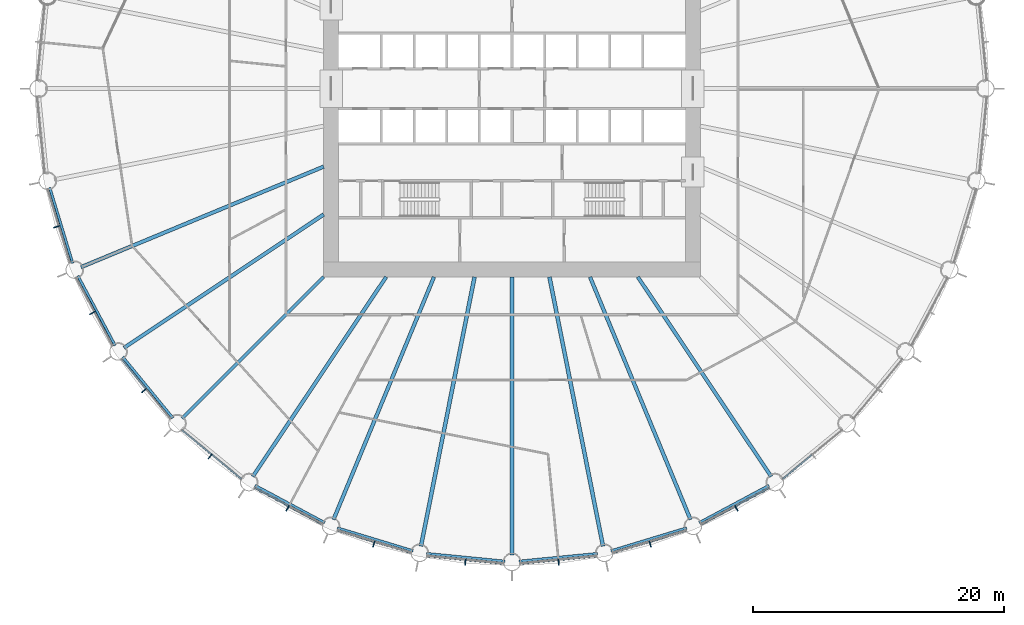
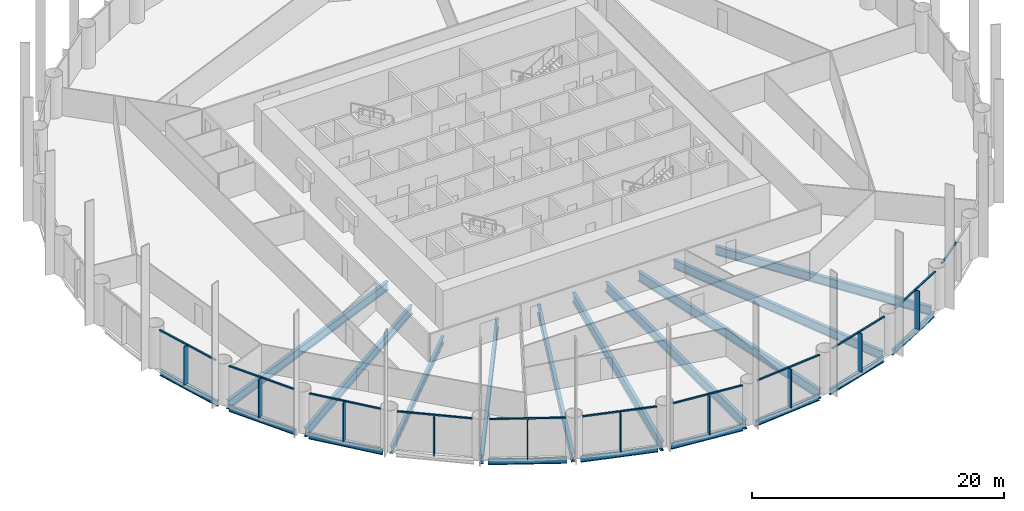
# One storey, part 2 of 15: 31 members, 19 beams, 11 elements without a shape of their own.
"""IFC4 building model written with IfcOpenShell, lengths in metres."""

from ifc_helpers import new_model, si_unit, direction, frame, origin, origin_2d, place, context, subcontext, project, spatial, rectangle, i_section, extrude, material, material_profile, profile_set, type_object, element, aggregate, save


model = new_model("IFC4")

# Units and contexts
model_context = context("Model", 3, precision=1e-05, world=origin(), true_north=direction((0.0, 1.0)))
body_context = subcontext(model_context, "Body", "Model", "MODEL_VIEW")
ifc_project = project(units=[si_unit("LENGTHUNIT", "METRE"), si_unit("AREAUNIT", "SQUARE_METRE"), si_unit("VOLUMEUNIT", "CUBIC_METRE"), si_unit("PLANEANGLEUNIT", "RADIAN"), si_unit("MASSUNIT", "GRAM", prefix="KILO")], contexts=[model_context])

# Site, building, storey
site_placement = place(None, origin())
site = spatial("IfcSite", under=ifc_project, at=site_placement, CompositionType="ELEMENT")
building_placement = place(site_placement, origin())
building = spatial("IfcBuilding", under=site, at=building_placement, Name="Corvane Civic Tower", CompositionType="ELEMENT")
storey_placement = place(building_placement, frame((0.0, 0.0, 65.0)))
storey = spatial("IfcBuildingStorey", under=building, at=storey_placement, Name="L14", CompositionType="ELEMENT", Elevation=65.0)

# Beams
ifc_material_1 = material(Name="Steel ASTM A992 Gr 50", Category="steel")
ifc_material_profile_1 = material_profile(ifc_material_1, i_section(OverallWidth=0.209228515625, OverallDepth=0.533447265625, WebThickness=0.01025390625, FlangeThickness=0.015625, at=origin_2d()), Name="W21X62")
ifc_profile_set_1 = profile_set([ifc_material_profile_1], Name="Steel ASTM A992 Gr 50")
beam_type_1 = type_object("IfcBeamType", Name="EDGE BEAM W21X62", PredefinedType="BEAM", material=ifc_profile_set_1)
for number, where, z_axis, x_axis, name in (
    (1, (20.4599609375, -31.605712890625, -0.566650390625), (-0.881916367906, -0.471405897311, 0.0), (0.471405897311, -0.881916367906, 0.0), "BM-L14-E14"),
    (2, (13.90087890625, -34.989990234375, -0.566650390625), (-0.956943740748, -0.290273452184, 0.0), (0.290273452184, -0.956943740748, 0.0), "BM-L14-E15"),
):
    element("IfcBeam", number, at=place(storey_placement, frame(where, z_axis=z_axis, x_axis=x_axis)), inside=storey, type_object=beam_type_1, Name=name, PredefinedType="BEAM", context=body_context, shape_type="SweptSolid", body=[
        extrude(i_section(OverallWidth=0.209228515625, OverallDepth=0.533447265625, WebThickness=0.01025390625, FlangeThickness=0.015625, at=origin_2d()), origin(), (0.0, 0.0, 1.0), 6.290283203125),
    ])
for number, where, z_axis, x_axis, name in (
    (3, (6.8076171875, -37.029541015625, -0.566650390625), (-0.995186682089, -0.097997284622, 0.0), (0.097997284622, -0.995186682089, 0.0), "BM-L14-E16"),
    (4, (-0.54736328125, -37.64599609375, -0.566650390625), (-0.995186682089, 0.097997284622, 0.0), (-0.097997284622, -0.995186682089, 0.0), "BM-L14-E17"),
):
    element("IfcBeam", number, at=place(storey_placement, frame(where, z_axis=z_axis, x_axis=x_axis)), inside=storey, type_object=beam_type_1, Name=name, PredefinedType="BEAM", context=body_context, shape_type="SweptSolid", body=[
        extrude(i_section(OverallWidth=0.209228515625, OverallDepth=0.533447265625, WebThickness=0.01025390625, FlangeThickness=0.015625, at=origin_2d()), origin(), (0.0, 0.0, 1.0), 6.29052734375),
    ])
for number, where, z_axis, x_axis, name in (
    (5, (-7.88134765625, -36.81591796875, -0.566650390625), (-0.956943740748, 0.290273452184, 0.0), (-0.290273452184, -0.956943740748, 0.0), "BM-L14-E18"),
    (6, (-14.912353515625, -34.571044921875, -0.566650390625), (-0.881916367906, 0.471405897311, 0.0), (-0.471405897311, -0.881916367906, 0.0), "BM-L14-E19"),
):
    element("IfcBeam", number, at=place(storey_placement, frame(where, z_axis=z_axis, x_axis=x_axis)), inside=storey, type_object=beam_type_1, Name=name, PredefinedType="BEAM", context=body_context, shape_type="SweptSolid", body=[
        extrude(i_section(OverallWidth=0.209228515625, OverallDepth=0.533447265625, WebThickness=0.01025390625, FlangeThickness=0.015625, at=origin_2d()), origin(), (0.0, 0.0, 1.0), 6.290283203125),
    ])
beam_1_placement = place(storey_placement, frame((-27.0068359375, -26.23291015625, -0.566650390625), z_axis=(-0.634386787141, 0.773015785286, 0.0), x_axis=(-0.773015785286, -0.634386787141, 0.0)))
element("IfcBeam", 7, at=beam_1_placement, inside=storey, type_object=beam_type_1, Name="BM-L14-E21", PredefinedType="BEAM", context=body_context, shape_type="SweptSolid", body=[
    extrude(i_section(OverallWidth=0.209228515625, OverallDepth=0.533447265625, WebThickness=0.01025390625, FlangeThickness=0.015625, at=origin_2d()), origin(), (0.0, 0.0, 1.0), 6.290771484375),
])
for number, where, z_axis, x_axis, name in (
    (8, (-31.605712890625, -20.4599609375, -0.566650390625), (-0.471405897311, 0.881916367906, 0.0), (-0.881916367906, -0.471405897311, 0.0), "BM-L14-E22"),
    (9, (-34.989990234375, -13.90087890625, -0.566650390625), (-0.290273452184, 0.956943740748, 0.0), (-0.956943740748, -0.290273452184, 0.0), "BM-L14-E23"),
):
    element("IfcBeam", number, at=place(storey_placement, frame(where, z_axis=z_axis, x_axis=x_axis)), inside=storey, type_object=beam_type_1, Name=name, PredefinedType="BEAM", context=body_context, shape_type="SweptSolid", body=[
        extrude(i_section(OverallWidth=0.209228515625, OverallDepth=0.533447265625, WebThickness=0.01025390625, FlangeThickness=0.015625, at=origin_2d()), origin(), (0.0, 0.0, 1.0), 6.290283203125),
    ])
ifc_material_2 = material(Name="Steel ASTM A992 Gr 50", Category="steel")
ifc_material_profile_2 = material_profile(ifc_material_2, i_section(OverallWidth=0.256591796875, OverallDepth=0.693359375, WebThickness=0.014404296875, FlangeThickness=0.023681640625, at=origin_2d()), Name="W27X114")
ifc_profile_set_2 = profile_set([ifc_material_profile_2], Name="Steel ASTM A992 Gr 50")
beam_type_2 = type_object("IfcBeamType", Name="FLOOR GIRDER W27X114", PredefinedType="BEAM", material=ifc_profile_set_2)
beam_2_placement = place(storey_placement, frame((-15.0, -15.0, -0.646728515625), z_axis=(-0.707106781187, -0.707106781187, 0.0), x_axis=(0.707106781187, -0.707106781187, 0.0)))
element("IfcBeam", 10, at=beam_2_placement, inside=storey, type_object=beam_type_2, Name="BM-L14-G21", PredefinedType="BEAM", context=body_context, shape_type="SweptSolid", body=[
    extrude(i_section(OverallWidth=0.256591796875, OverallDepth=0.693359375, WebThickness=0.014404296875, FlangeThickness=0.023681640625, at=origin_2d()), origin(), (0.0, 0.0, 1.0), 15.936767578125),
])
ifc_material_3 = material(Name="Steel ASTM A992 Gr 50", Category="steel")
ifc_material_profile_3 = material_profile(ifc_material_3, i_section(OverallWidth=0.2919921875, OverallDepth=0.8583984375, WebThickness=0.01708984375, FlangeThickness=0.031005859375, at=origin_2d()), Name="W33X169")
ifc_profile_set_3 = profile_set([ifc_material_profile_3], Name="Steel ASTM A992 Gr 50")
beam_type_3 = type_object("IfcBeamType", Name="FLOOR GIRDER W33X169", PredefinedType="BEAM", material=ifc_profile_set_3)
beam_3_placement = place(storey_placement, frame((10.022705078125, -15.0, -0.729248046875), z_axis=(0.555566681385, -0.831471985418, 0.0), x_axis=(0.831471985418, 0.555566681385, 0.0)))
element("IfcBeam", 11, at=beam_3_placement, inside=storey, type_object=beam_type_3, Name="BM-L14-G14", PredefinedType="BEAM", context=body_context, shape_type="SweptSolid", body=[
    extrude(i_section(OverallWidth=0.2919921875, OverallDepth=0.8583984375, WebThickness=0.01708984375, FlangeThickness=0.031005859375, at=origin_2d()), origin(), (0.0, 0.0, 1.0), 19.109619140625),
])
for number, where, z_axis, x_axis, name in (
    (12, (6.213134765625, -15.0, -0.729248046875), (0.382692360381, -0.923875834355, 0.0), (0.923875834355, 0.382692360381, 0.0), "BM-L14-G15"),
    (13, (-6.213134765625, -15.0, -0.729248046875), (-0.382692360381, -0.923875834355, 0.0), (0.923875834355, -0.382692360381, 0.0), "BM-L14-G19"),
):
    element("IfcBeam", number, at=place(storey_placement, frame(where, z_axis=z_axis, x_axis=x_axis)), inside=storey, type_object=beam_type_3, Name=name, PredefinedType="BEAM", context=body_context, shape_type="SweptSolid", body=[
        extrude(i_section(OverallWidth=0.2919921875, OverallDepth=0.8583984375, WebThickness=0.01708984375, FlangeThickness=0.031005859375, at=origin_2d()), origin(), (0.0, 0.0, 1.0), 20.9140625),
    ])
for number, where, z_axis, x_axis, name in (
    (14, (-10.022705078125, -15.0, -0.729248046875), (-0.555566681385, -0.831471985418, 0.0), (0.831471985418, -0.555566681385, 0.0), "BM-L14-G20"),
    (15, (-15.0, -10.022705078125, -0.729248046875), (-0.831471985418, -0.555566681385, 0.0), (0.555566681385, -0.831471985418, 0.0), "BM-L14-G22"),
):
    element("IfcBeam", number, at=place(storey_placement, frame(where, z_axis=z_axis, x_axis=x_axis)), inside=storey, type_object=beam_type_3, Name=name, PredefinedType="BEAM", context=body_context, shape_type="SweptSolid", body=[
        extrude(i_section(OverallWidth=0.2919921875, OverallDepth=0.8583984375, WebThickness=0.01708984375, FlangeThickness=0.031005859375, at=origin_2d()), origin(), (0.0, 0.0, 1.0), 19.109619140625),
    ])
beam_4_placement = place(storey_placement, frame((-15.0, -6.213134765625, -0.729248046875), z_axis=(-0.923875834355, -0.382692360381, 0.0), x_axis=(0.382692360381, -0.923875834355, 0.0)))
element("IfcBeam", 16, at=beam_4_placement, inside=storey, type_object=beam_type_3, Name="BM-L14-G23", PredefinedType="BEAM", context=body_context, shape_type="SweptSolid", body=[
    extrude(i_section(OverallWidth=0.2919921875, OverallDepth=0.8583984375, WebThickness=0.01708984375, FlangeThickness=0.031005859375, at=origin_2d()), origin(), (0.0, 0.0, 1.0), 20.9140625),
])
ifc_material_4 = material(Name="Steel ASTM A992 Gr 50", Category="steel")
ifc_material_profile_4 = material_profile(ifc_material_4, i_section(OverallWidth=0.307373046875, OverallDepth=0.927001953125, WebThickness=0.01953125, FlangeThickness=0.031982421875, at=origin_2d()), Name="W36X194")
ifc_profile_set_4 = profile_set([ifc_material_profile_4], Name="Steel ASTM A992 Gr 50")
beam_type_4 = type_object("IfcBeamType", Name="FLOOR GIRDER W36X194", PredefinedType="BEAM", material=ifc_profile_set_4)
beam_5_placement = place(storey_placement, frame((2.983642578125, -15.0, -0.763671875), z_axis=(0.195089219638, -0.980785499679, 0.0), x_axis=(0.980785499679, 0.195089219638, 0.0)))
element("IfcBeam", 17, at=beam_5_placement, inside=storey, type_object=beam_type_4, Name="BM-L14-G16", PredefinedType="BEAM", context=body_context, shape_type="SweptSolid", body=[
    extrude(i_section(OverallWidth=0.307373046875, OverallDepth=0.927001953125, WebThickness=0.01953125, FlangeThickness=0.031982421875, at=origin_2d()), origin(), (0.0, 0.0, 1.0), 21.856201171875),
])
beam_6_placement = place(storey_placement, frame((0.0, -15.0, -0.763671875), z_axis=(0.0, -1.0, 0.0), x_axis=(1.0, 0.0, 0.0)))
element("IfcBeam", 18, at=beam_6_placement, inside=storey, type_object=beam_type_4, Name="BM-L14-G17", PredefinedType="BEAM", context=body_context, shape_type="SweptSolid", body=[
    extrude(i_section(OverallWidth=0.307373046875, OverallDepth=0.927001953125, WebThickness=0.01953125, FlangeThickness=0.031982421875, at=origin_2d()), origin(), (0.0, 0.0, 1.0), 22.14990234375),
])
beam_7_placement = place(storey_placement, frame((-2.983642578125, -15.0, -0.763671875), z_axis=(-0.195089219638, -0.980785499679, 0.0), x_axis=(0.980785499679, -0.195089219638, 0.0)))
element("IfcBeam", 19, at=beam_7_placement, inside=storey, type_object=beam_type_4, Name="BM-L14-G18", PredefinedType="BEAM", context=body_context, shape_type="SweptSolid", body=[
    extrude(i_section(OverallWidth=0.307373046875, OverallDepth=0.927001953125, WebThickness=0.01953125, FlangeThickness=0.031982421875, at=origin_2d()), origin(), (0.0, 0.0, 1.0), 21.856201171875),
])

# Curtain wall, member
ifc_material_5 = material(Name="Anodised aluminium bronze", Category="aluminium")
curtain_wall_type = type_object("IfcCurtainWallType", Name="TOWER CW-T1 STICK CURTAIN WALL", PredefinedType="NOTDEFINED", material=ifc_material_5)
curtain_wall_1_placement = place(storey_placement, origin())
curtain_wall_1 = element("IfcCurtainWall", 20, at=curtain_wall_1_placement, inside=storey, type_object=curtain_wall_type, Name="Curtain wall CW-T1 L14 bay 13", PredefinedType="NOTDEFINED")
ifc_material_6 = material(Name="Anodised aluminium bronze", Category="aluminium")
ifc_material_profile_5 = material_profile(ifc_material_6, rectangle(XDim=0.139892578125, YDim=0.1201171875, at=origin_2d()), Name="TOWER CW-T1 TRANSOM 140x120")
ifc_profile_set_5 = profile_set([ifc_material_profile_5], Name="Anodised aluminium bronze")
member_type_1 = type_object("IfcMemberType", Name="TOWER CW-T1 TRANSOM 140x120", PredefinedType="USERDEFINED", material=ifc_profile_set_5)
member_1_placement = place(storey_placement, frame((23.88427734375, -29.166015625, 3.68994140625), z_axis=(-0.773041738279, -0.634355161466, 0.0), x_axis=(0.634355161466, -0.773041738279, 0.0)))
member_1 = element("IfcMember", 21, at=member_1_placement, type_object=member_type_1, Name="Transom CW-T1 L14 13.2", ObjectType="TRANSOM", PredefinedType="USERDEFINED", context=body_context, shape_type="SweptSolid", body=[
    extrude(rectangle(XDim=0.139892578125, YDim=0.1201171875, at=origin_2d()), origin(), (0.0, 0.0, 1.0), 3.008544921875),
])
aggregate(curtain_wall_1, [member_1])

# Curtain wall, members
curtain_wall_2_placement = place(storey_placement, origin())
curtain_wall_2 = element("IfcCurtainWall", 22, at=curtain_wall_2_placement, inside=storey, type_object=curtain_wall_type, Name="Curtain wall CW-T1 L14 bay 14", PredefinedType="NOTDEFINED")
member_2_placement = place(storey_placement, frame((20.459228515625, -31.809326171875, 3.68994140625), z_axis=(-0.881923525532, -0.471392506424, 0.0), x_axis=(0.471392506424, -0.881923525532, 0.0)))
member_2 = element("IfcMember", 23, at=member_2_placement, type_object=member_type_1, Name="Transom CW-T1 L14 14.1", ObjectType="TRANSOM", PredefinedType="USERDEFINED", context=body_context, shape_type="SweptSolid", body=[
    extrude(rectangle(XDim=0.139892578125, YDim=0.1201171875, at=origin_2d()), origin(), (0.0, 0.0, 1.0), 3.008544921875),
])
member_3_placement = place(storey_placement, frame((17.7353515625, -33.26513671875, 3.68994140625), z_axis=(-0.881923525532, -0.471392506424, 0.0), x_axis=(0.471392506424, -0.881923525532, 0.0)))
member_3 = element("IfcMember", 24, at=member_3_placement, type_object=member_type_1, Name="Transom CW-T1 L14 14.2", ObjectType="TRANSOM", PredefinedType="USERDEFINED", context=body_context, shape_type="SweptSolid", body=[
    extrude(rectangle(XDim=0.139892578125, YDim=0.1201171875, at=origin_2d()), origin(), (0.0, 0.0, 1.0), 3.008544921875),
])

curtain_wall_3_placement = place(storey_placement, origin())
curtain_wall_3 = element("IfcCurtainWall", 25, at=curtain_wall_3_placement, inside=storey, type_object=curtain_wall_type, Name="Curtain wall CW-T1 L14 bay 15", PredefinedType="NOTDEFINED")
member_4_placement = place(storey_placement, frame((13.8603515625, -35.189453125, 3.68994140625), z_axis=(-0.956941780555, -0.290279914268, 0.0), x_axis=(0.290279914268, -0.956941780555, 0.0)))
member_4 = element("IfcMember", 26, at=member_4_placement, type_object=member_type_1, Name="Transom CW-T1 L14 15.1", ObjectType="TRANSOM", PredefinedType="USERDEFINED", context=body_context, shape_type="SweptSolid", body=[
    extrude(rectangle(XDim=0.139892578125, YDim=0.1201171875, at=origin_2d()), origin(), (0.0, 0.0, 1.0), 3.008544921875),
])
member_5_placement = place(storey_placement, frame((10.90478515625, -36.0859375, 3.68994140625), z_axis=(-0.956941780555, -0.290279914268, 0.0), x_axis=(0.290279914268, -0.956941780555, 0.0)))
member_5 = element("IfcMember", 27, at=member_5_placement, type_object=member_type_1, Name="Transom CW-T1 L14 15.2", ObjectType="TRANSOM", PredefinedType="USERDEFINED", context=body_context, shape_type="SweptSolid", body=[
    extrude(rectangle(XDim=0.139892578125, YDim=0.1201171875, at=origin_2d()), origin(), (0.0, 0.0, 1.0), 3.008544921875),
])

curtain_wall_4_placement = place(storey_placement, origin())
curtain_wall_4 = element("IfcCurtainWall", 28, at=curtain_wall_4_placement, inside=storey, type_object=curtain_wall_type, Name="Curtain wall CW-T1 L14 bay 16", PredefinedType="NOTDEFINED")
member_6_placement = place(storey_placement, frame((6.72900390625, -37.21728515625, 3.68994140625), z_axis=(-0.995191836722, -0.097944923917, 0.0), x_axis=(0.097944923917, -0.995191836722, 0.0)))
member_6 = element("IfcMember", 29, at=member_6_placement, type_object=member_type_1, Name="Transom CW-T1 L14 16.1", ObjectType="TRANSOM", PredefinedType="USERDEFINED", context=body_context, shape_type="SweptSolid", body=[
    extrude(rectangle(XDim=0.139892578125, YDim=0.1201171875, at=origin_2d()), origin(), (0.0, 0.0, 1.0), 3.008544921875),
])
member_7_placement = place(storey_placement, frame((3.6552734375, -37.52001953125, 3.68994140625), z_axis=(-0.995191836722, -0.097944923917, 0.0), x_axis=(0.097944923917, -0.995191836722, 0.0)))
member_7 = element("IfcMember", 30, at=member_7_placement, type_object=member_type_1, Name="Transom CW-T1 L14 16.2", ObjectType="TRANSOM", PredefinedType="USERDEFINED", context=body_context, shape_type="SweptSolid", body=[
    extrude(rectangle(XDim=0.139892578125, YDim=0.1201171875, at=origin_2d()), origin(), (0.0, 0.0, 1.0), 3.008544921875),
])

curtain_wall_5_placement = place(storey_placement, origin())
curtain_wall_5 = element("IfcCurtainWall", 31, at=curtain_wall_5_placement, inside=storey, type_object=curtain_wall_type, Name="Curtain wall CW-T1 L14 bay 17", PredefinedType="NOTDEFINED")
member_8_placement = place(storey_placement, frame((-0.6611328125, -37.814697265625, 3.68994140625), z_axis=(-0.995191836722, 0.097944923917, 0.0), x_axis=(-0.097944923917, -0.995191836722, 0.0)))
member_8 = element("IfcMember", 32, at=member_8_placement, type_object=member_type_1, Name="Transom CW-T1 L14 17.1", ObjectType="TRANSOM", PredefinedType="USERDEFINED", context=body_context, shape_type="SweptSolid", body=[
    extrude(rectangle(XDim=0.139892578125, YDim=0.1201171875, at=origin_2d()), origin(), (0.0, 0.0, 1.0), 3.008544921875),
])
member_9_placement = place(storey_placement, frame((-3.73486328125, -37.511962890625, 3.68994140625), z_axis=(-0.995191836722, 0.097944923917, 0.0), x_axis=(-0.097944923917, -0.995191836722, 0.0)))
member_9 = element("IfcMember", 33, at=member_9_placement, type_object=member_type_1, Name="Transom CW-T1 L14 17.2", ObjectType="TRANSOM", PredefinedType="USERDEFINED", context=body_context, shape_type="SweptSolid", body=[
    extrude(rectangle(XDim=0.139892578125, YDim=0.1201171875, at=origin_2d()), origin(), (0.0, 0.0, 1.0), 3.008544921875),
])

curtain_wall_6_placement = place(storey_placement, origin())
curtain_wall_6 = element("IfcCurtainWall", 34, at=curtain_wall_6_placement, inside=storey, type_object=curtain_wall_type, Name="Curtain wall CW-T1 L14 bay 18", PredefinedType="NOTDEFINED")
member_10_placement = place(storey_placement, frame((-8.02587890625, -36.959228515625, 3.68994140625), z_axis=(-0.956941780555, 0.290279914268, 0.0), x_axis=(-0.290279914268, -0.956941780555, 0.0)))
member_10 = element("IfcMember", 35, at=member_10_placement, type_object=member_type_1, Name="Transom CW-T1 L14 18.1", ObjectType="TRANSOM", PredefinedType="USERDEFINED", context=body_context, shape_type="SweptSolid", body=[
    extrude(rectangle(XDim=0.139892578125, YDim=0.1201171875, at=origin_2d()), origin(), (0.0, 0.0, 1.0), 3.008544921875),
])
member_11_placement = place(storey_placement, frame((-10.9814453125, -36.062744140625, 3.68994140625), z_axis=(-0.956941780555, 0.290279914268, 0.0), x_axis=(-0.290279914268, -0.956941780555, 0.0)))
member_11 = element("IfcMember", 36, at=member_11_placement, type_object=member_type_1, Name="Transom CW-T1 L14 18.2", ObjectType="TRANSOM", PredefinedType="USERDEFINED", context=body_context, shape_type="SweptSolid", body=[
    extrude(rectangle(XDim=0.139892578125, YDim=0.1201171875, at=origin_2d()), origin(), (0.0, 0.0, 1.0), 3.008544921875),
])

curtain_wall_7_placement = place(storey_placement, origin())
curtain_wall_7 = element("IfcCurtainWall", 37, at=curtain_wall_7_placement, inside=storey, type_object=curtain_wall_type, Name="Curtain wall CW-T1 L14 bay 19", PredefinedType="NOTDEFINED")
member_12_placement = place(storey_placement, frame((-15.08203125, -34.683349609375, 3.68994140625), z_axis=(-0.881923525532, 0.471392506424, 0.0), x_axis=(-0.471392506424, -0.881923525532, 0.0)))
member_12 = element("IfcMember", 38, at=member_12_placement, type_object=member_type_1, Name="Transom CW-T1 L14 19.1", ObjectType="TRANSOM", PredefinedType="USERDEFINED", context=body_context, shape_type="SweptSolid", body=[
    extrude(rectangle(XDim=0.139892578125, YDim=0.1201171875, at=origin_2d()), origin(), (0.0, 0.0, 1.0), 3.008544921875),
])
member_13_placement = place(storey_placement, frame((-17.805908203125, -33.2275390625, 3.68994140625), z_axis=(-0.881923525532, 0.471392506424, 0.0), x_axis=(-0.471392506424, -0.881923525532, 0.0)))
member_13 = element("IfcMember", 39, at=member_13_placement, type_object=member_type_1, Name="Transom CW-T1 L14 19.2", ObjectType="TRANSOM", PredefinedType="USERDEFINED", context=body_context, shape_type="SweptSolid", body=[
    extrude(rectangle(XDim=0.139892578125, YDim=0.1201171875, at=origin_2d()), origin(), (0.0, 0.0, 1.0), 3.008544921875),
])

curtain_wall_8_placement = place(storey_placement, origin())
curtain_wall_8 = element("IfcCurtainWall", 40, at=curtain_wall_8_placement, inside=storey, type_object=curtain_wall_type, Name="Curtain wall CW-T1 L14 bay 20", PredefinedType="NOTDEFINED")
member_14_placement = place(storey_placement, frame((-21.55859375, -31.074462890625, 3.68994140625), z_axis=(-0.773041738279, 0.634355161466, 0.0), x_axis=(-0.634355161466, -0.773041738279, 0.0)))
member_14 = element("IfcMember", 41, at=member_14_placement, type_object=member_type_1, Name="Transom CW-T1 L14 20.1", ObjectType="TRANSOM", PredefinedType="USERDEFINED", context=body_context, shape_type="SweptSolid", body=[
    extrude(rectangle(XDim=0.139892578125, YDim=0.1201171875, at=origin_2d()), origin(), (0.0, 0.0, 1.0), 3.008544921875),
])
member_15_placement = place(storey_placement, frame((-23.946044921875, -29.115234375, 3.68994140625), z_axis=(-0.773001943873, 0.634403652865, 0.0), x_axis=(-0.634403652865, -0.773001943873, 0.0)))
member_15 = element("IfcMember", 42, at=member_15_placement, type_object=member_type_1, Name="Transom CW-T1 L14 20.2", ObjectType="TRANSOM", PredefinedType="USERDEFINED", context=body_context, shape_type="SweptSolid", body=[
    extrude(rectangle(XDim=0.139892578125, YDim=0.1201171875, at=origin_2d()), origin(), (0.0, 0.0, 1.0), 3.008544921875),
])

curtain_wall_9_placement = place(storey_placement, origin())
curtain_wall_9 = element("IfcCurtainWall", 43, at=curtain_wall_9_placement, inside=storey, type_object=curtain_wall_type, Name="Curtain wall CW-T1 L14 bay 21", PredefinedType="NOTDEFINED")
member_16_placement = place(storey_placement, frame((-27.20654296875, -26.271728515625, 3.68994140625), z_axis=(-0.634403652865, 0.773001943873, 0.0), x_axis=(-0.773001943873, -0.634403652865, 0.0)))
member_16 = element("IfcMember", 44, at=member_16_placement, type_object=member_type_1, Name="Transom CW-T1 L14 21.1", ObjectType="TRANSOM", PredefinedType="USERDEFINED", context=body_context, shape_type="SweptSolid", body=[
    extrude(rectangle(XDim=0.139892578125, YDim=0.1201171875, at=origin_2d()), origin(), (0.0, 0.0, 1.0), 3.008544921875),
])
member_17_placement = place(storey_placement, frame((-29.166015625, -23.88427734375, 3.68994140625), z_axis=(-0.634355161466, 0.773041738279, 0.0), x_axis=(-0.773041738279, -0.634355161466, 0.0)))
member_17 = element("IfcMember", 45, at=member_17_placement, type_object=member_type_1, Name="Transom CW-T1 L14 21.2", ObjectType="TRANSOM", PredefinedType="USERDEFINED", context=body_context, shape_type="SweptSolid", body=[
    extrude(rectangle(XDim=0.139892578125, YDim=0.1201171875, at=origin_2d()), origin(), (0.0, 0.0, 1.0), 3.008544921875),
])

curtain_wall_10_placement = place(storey_placement, origin())
curtain_wall_10 = element("IfcCurtainWall", 46, at=curtain_wall_10_placement, inside=storey, type_object=curtain_wall_type, Name="Curtain wall CW-T1 L14 bay 22", PredefinedType="NOTDEFINED")
member_18_placement = place(storey_placement, frame((-31.809326171875, -20.459228515625, 3.68994140625), z_axis=(-0.471392506424, 0.881923525532, 0.0), x_axis=(-0.881923525532, -0.471392506424, 0.0)))
member_18 = element("IfcMember", 47, at=member_18_placement, type_object=member_type_1, Name="Transom CW-T1 L14 22.1", ObjectType="TRANSOM", PredefinedType="USERDEFINED", context=body_context, shape_type="SweptSolid", body=[
    extrude(rectangle(XDim=0.139892578125, YDim=0.1201171875, at=origin_2d()), origin(), (0.0, 0.0, 1.0), 3.008544921875),
])
member_19_placement = place(storey_placement, frame((-33.26513671875, -17.7353515625, 3.68994140625), z_axis=(-0.471392506424, 0.881923525532, 0.0), x_axis=(-0.881923525532, -0.471392506424, 0.0)))
member_19 = element("IfcMember", 48, at=member_19_placement, type_object=member_type_1, Name="Transom CW-T1 L14 22.2", ObjectType="TRANSOM", PredefinedType="USERDEFINED", context=body_context, shape_type="SweptSolid", body=[
    extrude(rectangle(XDim=0.139892578125, YDim=0.1201171875, at=origin_2d()), origin(), (0.0, 0.0, 1.0), 3.008544921875),
])

curtain_wall_11_placement = place(storey_placement, origin())
curtain_wall_11 = element("IfcCurtainWall", 49, at=curtain_wall_11_placement, inside=storey, type_object=curtain_wall_type, Name="Curtain wall CW-T1 L14 bay 23", PredefinedType="NOTDEFINED")
member_20_placement = place(storey_placement, frame((-35.189453125, -13.8603515625, 3.68994140625), z_axis=(-0.290279914268, 0.956941780555, 0.0), x_axis=(-0.956941780555, -0.290279914268, 0.0)))
member_20 = element("IfcMember", 50, at=member_20_placement, type_object=member_type_1, Name="Transom CW-T1 L14 23.1", ObjectType="TRANSOM", PredefinedType="USERDEFINED", context=body_context, shape_type="SweptSolid", body=[
    extrude(rectangle(XDim=0.139892578125, YDim=0.1201171875, at=origin_2d()), origin(), (0.0, 0.0, 1.0), 3.008544921875),
])
member_21_placement = place(storey_placement, frame((-36.0859375, -10.90478515625, 3.68994140625), z_axis=(-0.290279914268, 0.956941780555, 0.0), x_axis=(-0.956941780555, -0.290279914268, 0.0)))
member_21 = element("IfcMember", 51, at=member_21_placement, type_object=member_type_1, Name="Transom CW-T1 L14 23.2", ObjectType="TRANSOM", PredefinedType="USERDEFINED", context=body_context, shape_type="SweptSolid", body=[
    extrude(rectangle(XDim=0.139892578125, YDim=0.1201171875, at=origin_2d()), origin(), (0.0, 0.0, 1.0), 3.008544921875),
])

# Member
ifc_material_7 = material(Name="Anodised aluminium bronze", Category="aluminium")
ifc_material_profile_6 = material_profile(ifc_material_7, rectangle(XDim=0.080078125, YDim=0.5, at=origin_2d()), Name="TOWER FIN MULLION 80x500 BRONZE")
ifc_profile_set_6 = profile_set([ifc_material_profile_6], Name="Anodised aluminium bronze")
member_type_2 = type_object("IfcMemberType", Name="TOWER FIN MULLION 80x500 BRONZE", PredefinedType="MULLION", material=ifc_profile_set_6)
member_22_placement = place(storey_placement, frame((17.86474609375, -33.422607421875, 0.0), z_axis=(0.0, 0.0, 1.0), x_axis=(-0.881917528864, -0.471403725359, 0.0)))
member_22 = element("IfcMember", 52, at=member_22_placement, type_object=member_type_2, Name="Fin mullion 14 L14", PredefinedType="MULLION", context=body_context, shape_type="SweptSolid", body=[
    extrude(rectangle(XDim=0.080078125, YDim=0.5, at=origin_2d()), origin(), (0.0, 0.0, 1.0), 3.75),
])

aggregate(curtain_wall_2, [member_22, member_2, member_3])

member_23_placement = place(storey_placement, frame((11.001220703125, -36.265625, 0.0), z_axis=(0.0, 0.0, 1.0), x_axis=(-0.956942240606, -0.290278397654, 0.0)))
member_23 = element("IfcMember", 53, at=member_23_placement, type_object=member_type_2, Name="Fin mullion 15 L14", PredefinedType="MULLION", context=body_context, shape_type="SweptSolid", body=[
    extrude(rectangle(XDim=0.080078125, YDim=0.5, at=origin_2d()), origin(), (0.0, 0.0, 1.0), 3.75),
])

aggregate(curtain_wall_3, [member_23, member_4, member_5])

member_24_placement = place(storey_placement, frame((3.714599609375, -37.715087890625, 0.0), z_axis=(0.0, 0.0, 1.0), x_axis=(-0.995185800248, -0.098006239521, 0.0)))
member_24 = element("IfcMember", 54, at=member_24_placement, type_object=member_type_2, Name="Fin mullion 16 L14", PredefinedType="MULLION", context=body_context, shape_type="SweptSolid", body=[
    extrude(rectangle(XDim=0.080078125, YDim=0.5, at=origin_2d()), origin(), (0.0, 0.0, 1.0), 3.75),
])

aggregate(curtain_wall_4, [member_24, member_6, member_7])

member_25_placement = place(storey_placement, frame((-3.714599609375, -37.715087890625, 0.0), z_axis=(0.0, 0.0, 1.0), x_axis=(-0.995185800248, 0.098006239521, 0.0)))
member_25 = element("IfcMember", 55, at=member_25_placement, type_object=member_type_2, Name="Fin mullion 17 L14", PredefinedType="MULLION", context=body_context, shape_type="SweptSolid", body=[
    extrude(rectangle(XDim=0.080078125, YDim=0.5, at=origin_2d()), origin(), (0.0, 0.0, 1.0), 3.75),
])

aggregate(curtain_wall_5, [member_25, member_8, member_9])

member_26_placement = place(storey_placement, frame((-11.001220703125, -36.265625, 0.0), z_axis=(0.0, 0.0, 1.0), x_axis=(-0.956942240606, 0.290278397654, 0.0)))
member_26 = element("IfcMember", 56, at=member_26_placement, type_object=member_type_2, Name="Fin mullion 18 L14", PredefinedType="MULLION", context=body_context, shape_type="SweptSolid", body=[
    extrude(rectangle(XDim=0.080078125, YDim=0.5, at=origin_2d()), origin(), (0.0, 0.0, 1.0), 3.75),
])

aggregate(curtain_wall_6, [member_26, member_10, member_11])

member_27_placement = place(storey_placement, frame((-17.86474609375, -33.422607421875, 0.0), z_axis=(0.0, 0.0, 1.0), x_axis=(-0.881917528864, 0.471403725359, 0.0)))
member_27 = element("IfcMember", 57, at=member_27_placement, type_object=member_type_2, Name="Fin mullion 19 L14", PredefinedType="MULLION", context=body_context, shape_type="SweptSolid", body=[
    extrude(rectangle(XDim=0.080078125, YDim=0.5, at=origin_2d()), origin(), (0.0, 0.0, 1.0), 3.75),
])

aggregate(curtain_wall_7, [member_27, member_12, member_13])

member_28_placement = place(storey_placement, frame((-24.0419921875, -29.295166015625, 0.0), z_axis=(0.0, 0.0, 1.0), x_axis=(-0.773007224463, 0.634397218569, 0.0)))
member_28 = element("IfcMember", 58, at=member_28_placement, type_object=member_type_2, Name="Fin mullion 20 L14", PredefinedType="MULLION", context=body_context, shape_type="SweptSolid", body=[
    extrude(rectangle(XDim=0.080078125, YDim=0.5, at=origin_2d()), origin(), (0.0, 0.0, 1.0), 3.75),
])

aggregate(curtain_wall_8, [member_28, member_14, member_15])

member_29_placement = place(storey_placement, frame((-29.295166015625, -24.0419921875, 0.0), z_axis=(0.0, 0.0, 1.0), x_axis=(-0.634397218569, 0.773007224463, 0.0)))
member_29 = element("IfcMember", 59, at=member_29_placement, type_object=member_type_2, Name="Fin mullion 21 L14", PredefinedType="MULLION", context=body_context, shape_type="SweptSolid", body=[
    extrude(rectangle(XDim=0.080078125, YDim=0.5, at=origin_2d()), origin(), (0.0, 0.0, 1.0), 3.75),
])

aggregate(curtain_wall_9, [member_29, member_16, member_17])

member_30_placement = place(storey_placement, frame((-33.422607421875, -17.86474609375, 0.0), z_axis=(0.0, 0.0, 1.0), x_axis=(-0.471403725359, 0.881917528864, 0.0)))
member_30 = element("IfcMember", 60, at=member_30_placement, type_object=member_type_2, Name="Fin mullion 22 L14", PredefinedType="MULLION", context=body_context, shape_type="SweptSolid", body=[
    extrude(rectangle(XDim=0.080078125, YDim=0.5, at=origin_2d()), origin(), (0.0, 0.0, 1.0), 3.75),
])

aggregate(curtain_wall_10, [member_30, member_18, member_19])

member_31_placement = place(storey_placement, frame((-36.265625, -11.001220703125, 0.0), z_axis=(0.0, 0.0, 1.0), x_axis=(-0.290278397654, 0.956942240606, 0.0)))
member_31 = element("IfcMember", 61, at=member_31_placement, type_object=member_type_2, Name="Fin mullion 23 L14", PredefinedType="MULLION", context=body_context, shape_type="SweptSolid", body=[
    extrude(rectangle(XDim=0.080078125, YDim=0.5, at=origin_2d()), origin(), (0.0, 0.0, 1.0), 3.75),
])

aggregate(curtain_wall_11, [member_31, member_20, member_21])

save(model, "model.ifc")
